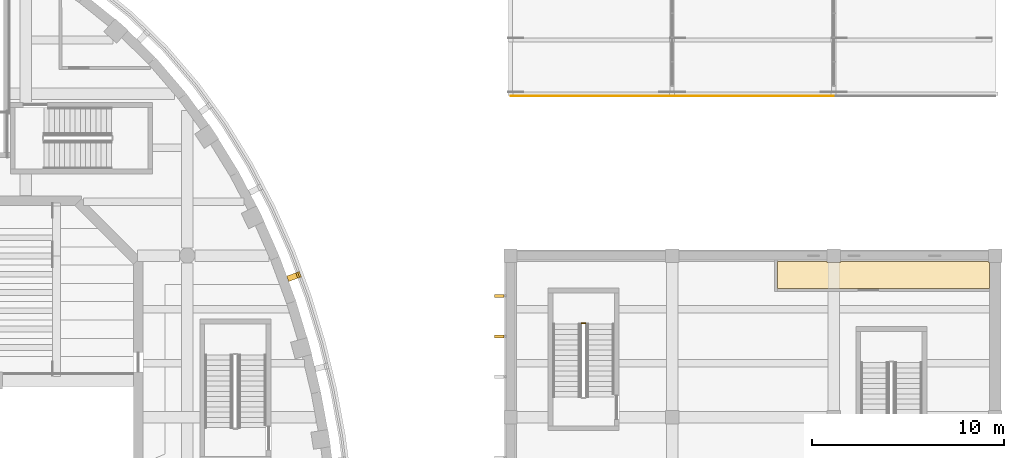
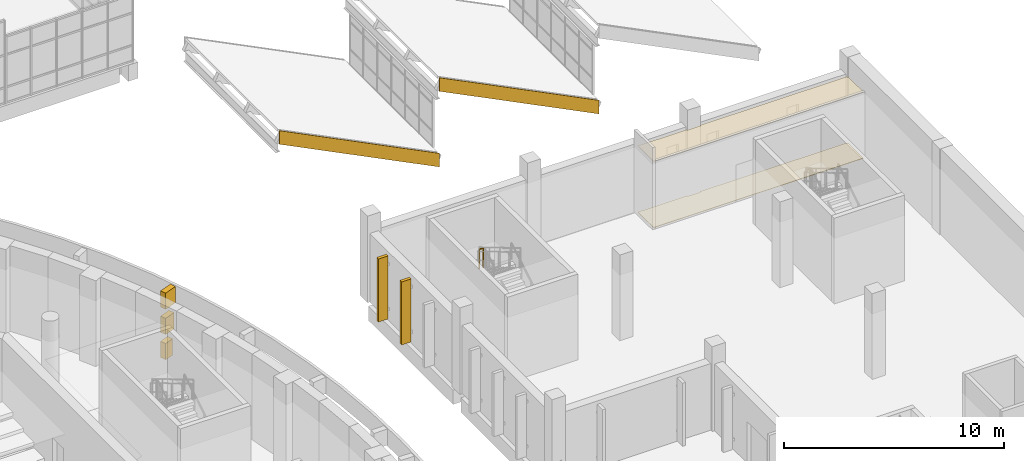
# One storey, part 102 of 103: 9 coverings, 1 railing.
"""IFC4 building model written with IfcOpenShell, lengths in metres."""

from ifc_helpers import new_model, si_unit, direction, frame, origin, origin_2d, place, context, subcontext, project, spatial, polyline, rectangle, circle, outline, extrude, material, layer, layer_set, type_object, element, save


model = new_model("IFC4")

# Units and contexts
model_context = context("Model", 3, precision=1e-05, world=origin(), true_north=direction((0.0, 1.0)))
body_context = subcontext(model_context, "Body", "Model", "MODEL_VIEW")
ifc_project = project(units=[si_unit("LENGTHUNIT", "METRE"), si_unit("AREAUNIT", "SQUARE_METRE"), si_unit("VOLUMEUNIT", "CUBIC_METRE"), si_unit("PLANEANGLEUNIT", "RADIAN"), si_unit("MASSUNIT", "GRAM", prefix="KILO")], contexts=[model_context])

# Site, building, storey
site_placement = place(None, origin())
site = spatial("IfcSite", under=ifc_project, at=site_placement, CompositionType="ELEMENT")
building_placement = place(site_placement, origin())
building = spatial("IfcBuilding", under=site, at=building_placement, Name="Larchfold Concert Hall", CompositionType="ELEMENT")
storey_placement = place(building_placement, frame((0.0, 0.0, 9.60009765625)))
storey = spatial("IfcBuildingStorey", under=building, at=storey_placement, Name="L02", CompositionType="ELEMENT", Elevation=9.60009765625)

# Coverings
ifc_material_1 = material(Name="Mineral fibre ceiling tile")
ifc_layer_1 = layer(ifc_material_1, 0.02001953125)
ifc_layer_set_1 = layer_set([ifc_layer_1], Name="Mineral fibre ceiling tile")
covering_type_1 = type_object("IfcCoveringType", Name="Ceiling mineral fibre tile 20", PredefinedType="CEILING", material=ifc_layer_set_1)
covering_1_placement = place(storey_placement, frame((0.0, 0.0, 3.679931640625)))
element("IfcCovering", 1, at=covering_1_placement, inside=storey, type_object=covering_type_1, Name="Ceiling Chamber Hall Store", PredefinedType="CEILING", context=body_context, shape_type="SweptSolid", body=[
    extrude(outline(polyline([(90.0830078125, 99.60009765625), (90.0830078125, 99.675048828125), (101.099853515625, 99.675048828125), (101.099853515625, 101.0498046875), (101.0498046875, 101.0498046875), (101.0498046875, 101.099853515625), (93.35009765625, 101.099853515625), (93.35009765625, 101.0498046875), (92.64990234375, 101.0498046875), (92.64990234375, 101.099853515625), (90.074951171875, 101.099853515625), (90.0830078125, 99.60009765625)])), origin(), (0.0, 0.0, 1.0), 0.02001953125),
])
ifc_material_2 = material(Name="Oak boards on battens")
ifc_layer_2 = layer(ifc_material_2, 0.02490234375)
ifc_layer_set_2 = layer_set([ifc_layer_2], Name="Oak boards on battens")
covering_type_2 = type_object("IfcCoveringType", Name="Floor finish timber boards 25", PredefinedType="FLOORING", material=ifc_layer_set_2)
covering_2_placement = place(storey_placement, origin())
element("IfcCovering", 2, at=covering_2_placement, inside=storey, type_object=covering_type_2, Name="Floor finish Chamber Hall Store", PredefinedType="FLOORING", context=body_context, shape_type="SweptSolid", body=[
    extrude(outline(polyline([(90.0830078125, 99.60009765625), (90.0830078125, 99.675048828125), (101.099853515625, 99.675048828125), (101.099853515625, 101.0498046875), (101.0498046875, 101.0498046875), (101.0498046875, 101.099853515625), (93.35009765625, 101.099853515625), (93.35009765625, 101.0498046875), (92.64990234375, 101.0498046875), (92.64990234375, 101.099853515625), (90.074951171875, 101.099853515625), (90.0830078125, 99.60009765625)])), origin(), (0.0, 0.0, 1.0), 0.02490234375),
])
ifc_material_3 = material(Name="Glulam GL30c", Category="wood")
ifc_layer_3 = layer(ifc_material_3, 0.159912109375)
ifc_layer_set_3 = layer_set([ifc_layer_3], Name="Glulam GL30c")
covering_type_3 = type_object("IfcCoveringType", Name="Glulam fin 160x500", PredefinedType="CLADDING", material=ifc_layer_set_3)
covering_3_placement = place(storey_placement, frame((0.0, 0.0, 0.199951171875)))
element("IfcCovering", 3, at=covering_3_placement, inside=storey, type_object=covering_type_3, Name="Glulam fin FN-L02-032", PredefinedType="CLADDING", context=body_context, shape_type="SweptSolid", body=[
    extrude(outline(polyline([(75.875, 97.1201171875), (75.875, 97.280029296875), (75.375, 97.280029296875), (75.375, 97.1201171875), (75.875, 97.1201171875)])), origin(), (0.0, 0.0, 1.0), 3.5),
])
covering_4_placement = place(storey_placement, frame((0.0, 0.0, 0.199951171875)))
element("IfcCovering", 4, at=covering_4_placement, inside=storey, type_object=covering_type_3, Name="Glulam fin FN-L02-033", PredefinedType="CLADDING", context=body_context, shape_type="SweptSolid", body=[
    extrude(outline(polyline([(75.875, 99.219970703125), (75.875, 99.3798828125), (75.375, 99.3798828125), (75.375, 99.219970703125), (75.875, 99.219970703125)])), origin(), (0.0, 0.0, 1.0), 3.5),
])
ifc_material_4 = material(Name="Galvanised steel bracket", Category="steel")
ifc_layer_4 = layer(ifc_material_4, 0.300048828125)
ifc_layer_set_4 = layer_set([ifc_layer_4], Name="Galvanised steel bracket")
covering_type_4 = type_object("IfcCoveringType", Name="Ring support bracket", PredefinedType="CLADDING", material=ifc_layer_set_4)
covering_5_placement = place(storey_placement, frame((64.85498046875, 100.275146484375, 1.349853515625), z_axis=(0.0, 0.0, 1.0), x_axis=(0.938034660892, 0.346541447688, 0.0)))
element("IfcCovering", 5, at=covering_5_placement, inside=storey, type_object=covering_type_4, Name="Ring bracket BR-R03-04", PredefinedType="CLADDING", context=body_context, shape_type="SweptSolid", body=[
    extrude(rectangle(XDim=0.5, YDim=0.300048828125, at=origin_2d()), origin(), (0.0, 0.0, 1.0), 0.89990234375),
])
covering_6_placement = place(storey_placement, frame((64.90185546875, 100.29248046875, 2.75), z_axis=(0.0, 0.0, 1.0), x_axis=(0.938034660892, 0.346541447688, 0.0)))
element("IfcCovering", 6, at=covering_6_placement, inside=storey, type_object=covering_type_4, Name="Ring bracket BR-R04-04", PredefinedType="CLADDING", context=body_context, shape_type="SweptSolid", body=[
    extrude(rectangle(XDim=0.60009765625, YDim=0.300048828125, at=origin_2d()), origin(), (0.0, 0.0, 1.0), 0.89990234375),
])
covering_7_placement = place(storey_placement, frame((64.94873046875, 100.309814453125, 4.14990234375), z_axis=(0.0, 0.0, 1.0), x_axis=(0.938034660892, 0.346541447688, 0.0)))
element("IfcCovering", 7, at=covering_7_placement, inside=storey, type_object=covering_type_4, Name="Ring bracket BR-R05-04", PredefinedType="CLADDING", context=body_context, shape_type="SweptSolid", body=[
    extrude(rectangle(XDim=0.699951171875, YDim=0.300048828125, at=origin_2d()), origin(), (0.0, 0.0, 1.0), 0.89990234375),
])
ifc_material_5 = material(Name="Anodised graphite aluminium fascia", Category="aluminium")
ifc_layer_5 = layer(ifc_material_5, 0.030029296875)
ifc_layer_set_5 = layer_set([ifc_layer_5], Name="Anodised graphite aluminium fascia")
covering_type_5 = type_object("IfcCoveringType", Name="Roof edge fascia 30", PredefinedType="CLADDING", material=ifc_layer_set_5)
covering_8_placement = place(storey_placement, frame((76.199951171875, 109.675048828125, 3.44580078125), z_axis=(0.0, -1.0, 0.0), x_axis=(0.89443239007, 0.0, -0.447203197209)))
element("IfcCovering", 8, at=covering_8_placement, inside=storey, type_object=covering_type_5, Name="Roof edge fascia RF026", PredefinedType="CLADDING", context=body_context, shape_type="SweptSolid", body=[
    extrude(outline(polyline([(0.0, 0.0), (9.39159468914049, 0.0), (9.05433622327655, 0.6745365363588105), (-0.33725846586394104, 0.6745365363588106), (0.0, 0.0)])), origin(), (0.0, 0.0, -1.0), 0.030029296875),
])
covering_9_placement = place(storey_placement, frame((84.60009765625, 109.675048828125, 3.44580078125), z_axis=(0.0, -1.0, 0.0), x_axis=(0.894427191, 0.0, -0.4472135955)))
element("IfcCovering", 9, at=covering_9_placement, inside=storey, type_object=covering_type_5, Name="Roof edge fascia RF027", PredefinedType="CLADDING", context=body_context, shape_type="SweptSolid", body=[
    extrude(outline(polyline([(0.0, 0.0), (9.391376322492404, 0.0), (9.0541100147533, 0.6745326154782081), (-0.33726630773910404, 0.6745326154782081), (0.0, 0.0)])), origin(), (0.0, 0.0, -1.0), 0.030029296875),
])

# Railing
ifc_material_6 = material(Name="Stainless steel balustrade", Category="steel")
railing_type = type_object("IfcRailingType", Name="Stair guard 1100", PredefinedType="GUARDRAIL", material=ifc_material_6)
railing_placement = place(storey_placement, frame((80.10009765625, 97.880126953125, 2.39990234375)))
element("IfcRailing", 10, at=railing_placement, inside=storey, type_object=railing_type, Name="Guard GR0069", PredefinedType="GUARDRAIL", context=body_context, shape_type="SweptSolid", body=[
    extrude(circle(Radius=0.02392578125, at=origin_2d()), frame((0.0, 0.0, 1.076171875), z_axis=(-1.0, 0.0, 0.0), x_axis=(0.0, -1.0, 0.0)), (0.0, 0.0, 1.0), 0.199951171875),
    extrude(circle(Radius=0.02099609375, at=origin_2d()), origin(), (0.0, 0.0, 1.0), 1.052001953125),
    extrude(circle(Radius=0.02099609375, at=origin_2d()), frame((-0.199951171875, 0.0, 0.0)), (0.0, 0.0, 1.0), 1.052001953125),
])

save(model, "model.ifc")
